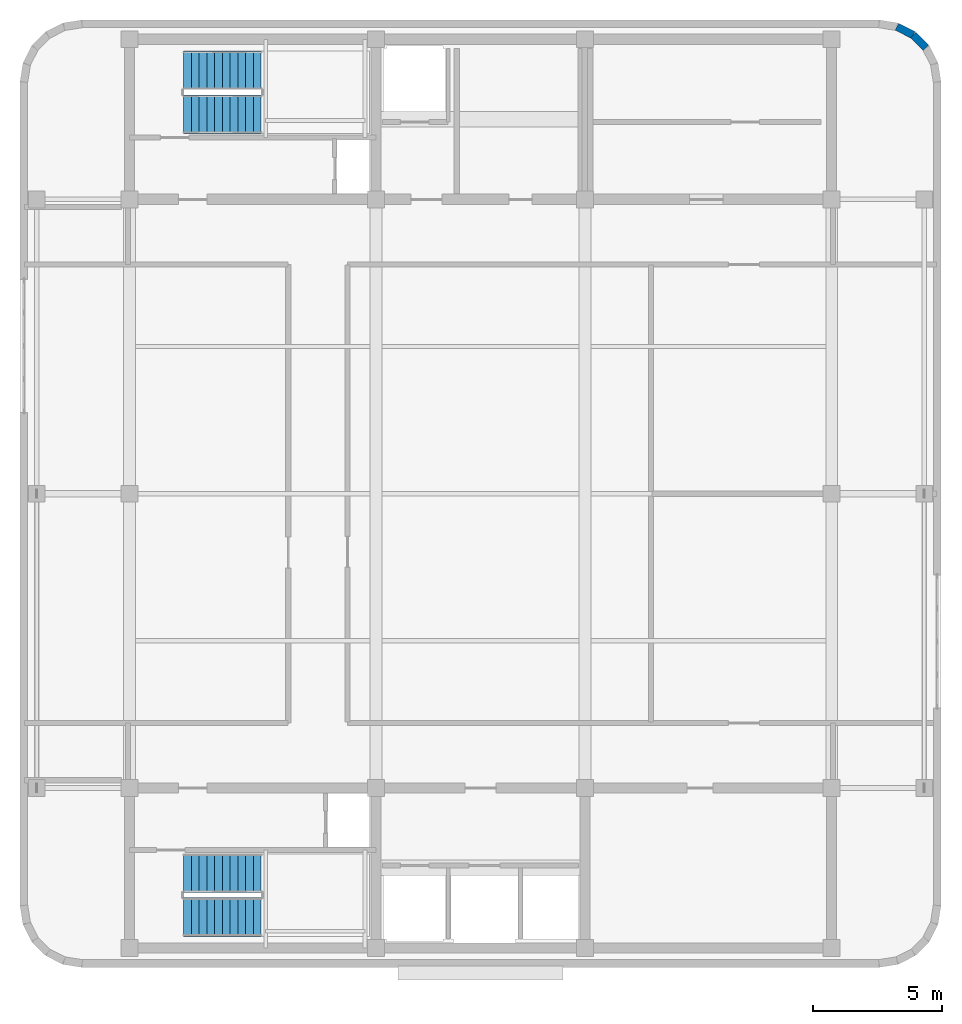
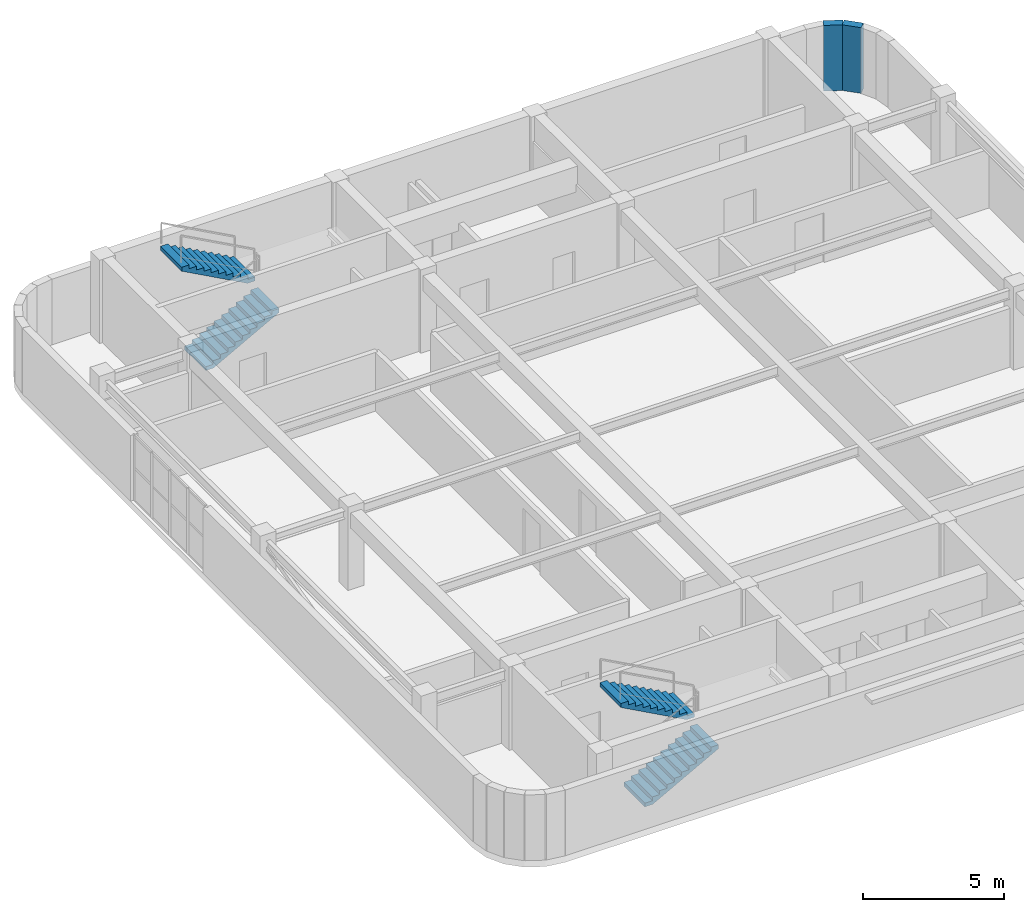
# One storey, part 6 of 9: 4 stair flights, 2 walls, 2 elements without a shape of their own.
"""IFC4 building model written with IfcOpenShell, lengths in metres."""

import ifcopenshell
import ifcopenshell.guid

model = None  # the IFC model being written
_history = None  # IfcOwnerHistory: only IFC2X3 demands one
_inside = {}  # id of a spatial element -> (the spatial element, [elements in it])
_under = {}  # id of a project, library or spatial element -> (it, [spatial elements below it])
_declared = {}  # id of a project -> (the project, [libraries it declares])
_typed = {}  # id of a type object -> (the type object, [elements of that type])
_made_of = {}  # id of a material, layer set ... -> (it, [elements and type objects made of it])


def new_model(schema):
    """Start an empty IFC model of exactly this schema.

    Asked for "IFC4X3", IfcOpenShell would pick the latest addendum, in which some entities
    have other attributes; the version numbers below select the first issue.
    IFC2X3 requires an IfcOwnerHistory on every rooted entity: one is made here for all.
    """
    global model, _history
    if schema == "IFC4X3":
        model = ifcopenshell.file(schema_version=(4, 3, 0, 0))
    else:
        model = ifcopenshell.file(schema=schema)
    _inside.clear()
    _under.clear()
    _declared.clear()
    _typed.clear()
    _made_of.clear()
    _history = None
    if model.schema == "IFC2X3":
        org = make("IfcOrganization", Name="unknown")
        user = make(
            "IfcPersonAndOrganization",
            ThePerson=make("IfcPerson", FamilyName="unknown"),
            TheOrganization=org,
        )
        app = make(
            "IfcApplication",
            ApplicationDeveloper=org,
            Version="unknown",
            ApplicationFullName="unknown",
            ApplicationIdentifier="unknown",
        )
        _history = make(
            "IfcOwnerHistory",
            OwningUser=user,
            OwningApplication=app,
            ChangeAction="ADDED",
            CreationDate=0,
        )
    return model


def make(cls, **values):
    """One entity of the class cls with the attributes given. An attribute that is None is left unset."""
    return model.create_entity(
        cls, **{name: value for name, value in values.items() if value is not None}
    )


def rooted(cls, **values):
    """An entity with a GlobalId (a new one), such as an element, a storey or a relation."""
    return make(cls, GlobalId=ifcopenshell.guid.new(), OwnerHistory=_history, **values)


def si_unit(unit_type, name, prefix=None):
    """IfcSIUnit, for example si_unit("LENGTHUNIT", "METRE", prefix="MILLI")."""
    return make("IfcSIUnit", UnitType=unit_type, Prefix=prefix, Name=name)


def assignment(units):
    """IfcUnitAssignment: the units of a project."""
    return None if units is None else make("IfcUnitAssignment", Units=units)


def point(xyz):
    """IfcCartesianPoint."""
    return None if xyz is None else make("IfcCartesianPoint", Coordinates=xyz)


def direction(xyz):
    """IfcDirection."""
    return None if xyz is None else make("IfcDirection", DirectionRatios=xyz)


def frame(location, z_axis=None, x_axis=None):
    """IfcAxis2Placement3D, a coordinate frame: its origin and axes. An axis left out is left unset."""
    return make(
        "IfcAxis2Placement3D",
        Location=point(location),
        Axis=direction(z_axis),
        RefDirection=direction(x_axis),
    )


def frame_2d(location, x_axis=None):
    """IfcAxis2Placement2D, a coordinate frame in the plane: its origin and x axis."""
    return make(
        "IfcAxis2Placement2D", Location=point(location), RefDirection=direction(x_axis)
    )


def origin():
    """The frame at (0, 0, 0) with its axes left unset."""
    return frame((0.0, 0.0, 0.0))


def place(relative_to, where):
    """IfcLocalPlacement: puts the frame where relative to a parent placement (None: the world)."""
    return make(
        "IfcLocalPlacement", PlacementRelTo=relative_to, RelativePlacement=where
    )


def context(
    kind, dimensions, precision=None, world=None, true_north=None, identifier=None
):
    """IfcGeometricRepresentationContext, for example the 3D "Model" context."""
    return make(
        "IfcGeometricRepresentationContext",
        ContextIdentifier=identifier,
        ContextType=kind,
        CoordinateSpaceDimension=dimensions,
        Precision=precision,
        WorldCoordinateSystem=world,
        TrueNorth=true_north,
    )


def subcontext(parent, identifier, kind, view, scale=None):
    """IfcGeometricRepresentationSubContext, for example "Body" below "Model"."""
    return make(
        "IfcGeometricRepresentationSubContext",
        ContextIdentifier=identifier,
        ContextType=kind,
        ParentContext=parent,
        TargetScale=scale,
        TargetView=view,
    )


def project(units=None, contexts=None):
    """IfcProject with its units and contexts."""
    return rooted(
        "IfcProject",
        Name="project",
        RepresentationContexts=contexts,
        UnitsInContext=assignment(units),
    )


def spatial(cls, under=None, at=None, **own):
    """A site, building, storey or space (cls), placed at a placement, below another one or the project."""
    s = rooted(cls, ObjectPlacement=at, **own)
    if under is not None:
        _under.setdefault(under.id(), (under, []))[1].append(s)
    return s


def polyline(points):
    """IfcPolyline through the points."""
    return make("IfcPolyline", Points=[point(p) for p in points])


def profile(cls, at=None, kind="AREA", **sizes):
    """A parametric profile (cls). Its sizes go by their IFC names, for example OverallWidth=200.0."""
    return make(cls, ProfileType=kind, Position=at, **sizes)


def rectangle(**sizes):
    """IfcRectangleProfileDef."""
    return profile("IfcRectangleProfileDef", **sizes)


def outline(outer, holes=None, kind="AREA"):
    """IfcArbitraryClosedProfileDef: a profile drawn as a closed curve; with holes, ...WithVoids."""
    if holes is None:
        return make("IfcArbitraryClosedProfileDef", ProfileType=kind, OuterCurve=outer)
    return make(
        "IfcArbitraryProfileDefWithVoids",
        ProfileType=kind,
        OuterCurve=outer,
        InnerCurves=holes,
    )


def extrude(swept, where, along, depth):
    """IfcExtrudedAreaSolid: the profile swept, set in the frame where, extruded along a direction by depth."""
    return make(
        "IfcExtrudedAreaSolid",
        SweptArea=swept,
        Position=where,
        ExtrudedDirection=direction(along),
        Depth=depth,
    )


def shape(context_of_items, identifier, shape_type, items):
    """IfcShapeRepresentation: the items that make up one representation, for example the "Body"."""
    return make(
        "IfcShapeRepresentation",
        ContextOfItems=context_of_items,
        RepresentationIdentifier=identifier,
        RepresentationType=shape_type,
        Items=items,
    )


def material(Name=None, Category=None):
    """IfcMaterial."""
    return make("IfcMaterial", Name=Name, Category=Category)


def layer(
    of_material, thickness, ventilated=None, Name=None, Category=None, Priority=None
):
    """IfcMaterialLayer: one layer of a wall or slab, of a material (None: an air gap)."""
    return make(
        "IfcMaterialLayer",
        Material=of_material,
        LayerThickness=thickness,
        IsVentilated=ventilated,
        Name=Name,
        Category=Category,
        Priority=Priority,
    )


def layer_set(layers, Name=None):
    """IfcMaterialLayerSet."""
    return make("IfcMaterialLayerSet", MaterialLayers=layers, LayerSetName=Name)


def made_of(thing, what):
    """Note that an element or type object is made of a material, layer set ...; save() writes the relation."""
    if what is not None:
        _made_of.setdefault(what.id(), (what, []))[1].append(thing)
    return thing


def type_object(cls, material=None, **own):
    """A type object (cls), such as IfcWallType, which elements share."""
    return made_of(rooted(cls, **own), material)


def element(
    cls,
    number,
    at=None,
    inside=None,
    cuts=None,
    type_object=None,
    material=None,
    context=None,
    identifier="Body",
    shape_type=None,
    held_by="IfcProductDefinitionShape",
    body=None,
    shapes=None,
    **own,
):
    """One element of the class cls, such as IfcWall. Its Tag is "e" and its number.

    at: its placement. inside: the storey or other place that contains it. cuts: it is an
    opening in that element (IfcRelVoidsElement). A single representation is given by context,
    identifier, shape_type and body (its items); several are given by shapes. held_by: the class
    of the entity that holds the representations. save() writes the other relations.
    """
    e = rooted(cls, Tag="e%d" % number, ObjectPlacement=at, **own)
    if body is not None:
        shapes = [shape(context, identifier, shape_type, body)]
    if shapes is not None:
        e.Representation = make(held_by, Representations=shapes)
    if inside is not None:
        _inside.setdefault(inside.id(), (inside, []))[1].append(e)
    if cuts is not None:
        rooted(
            "IfcRelVoidsElement", RelatingBuildingElement=cuts, RelatedOpeningElement=e
        )
    if type_object is not None:
        _typed.setdefault(type_object.id(), (type_object, []))[1].append(e)
    return made_of(e, material)


def aggregate(whole, parts):
    """IfcRelAggregates: a whole, such as a stair, and the parts it consists of."""
    return rooted("IfcRelAggregates", RelatingObject=whole, RelatedObjects=parts)


def save(model, path):
    """Write the relations noted so far, then the file.

    IfcRelAggregates (storeys below a building ...), IfcRelContainedInSpatialStructure (elements
    in a storey), IfcRelDefinesByType, IfcRelAssociatesMaterial and IfcRelDeclares: one each for
    every whole, place, type object, material and project.
    """
    for whole, parts in _under.values():
        aggregate(whole, parts)
    for where, things in _inside.values():
        rooted(
            "IfcRelContainedInSpatialStructure",
            RelatedElements=things,
            RelatingStructure=where,
        )
    for kind, things in _typed.values():
        rooted("IfcRelDefinesByType", RelatedObjects=things, RelatingType=kind)
    for what, things in _made_of.values():
        rooted("IfcRelAssociatesMaterial", RelatedObjects=things, RelatingMaterial=what)
    for by, libraries in _declared.values():
        rooted("IfcRelDeclares", RelatingContext=by, RelatedDefinitions=libraries)
    model.write(path)


model = new_model("IFC4")

# Units and contexts
model_context = context("Model", 3, precision=1e-05, world=origin(), true_north=direction((0.0, 1.0)))
body_context = subcontext(model_context, "Body", "Model", "MODEL_VIEW")
ifc_project = project(units=[si_unit("LENGTHUNIT", "METRE"), si_unit("AREAUNIT", "SQUARE_METRE"), si_unit("VOLUMEUNIT", "CUBIC_METRE"), si_unit("PLANEANGLEUNIT", "RADIAN"), si_unit("MASSUNIT", "GRAM", prefix="KILO")], contexts=[model_context])

# Site, building, storey
site_placement = place(None, origin())
site = spatial("IfcSite", under=ifc_project, at=site_placement, CompositionType="ELEMENT")
building_placement = place(site_placement, origin())
building = spatial("IfcBuilding", under=site, at=building_placement, Name="Svetorya Sky Lyceum", CompositionType="ELEMENT")
storey_placement = place(building_placement, frame((0.0, 0.0, 316.39990234375)))
storey = spatial("IfcBuildingStorey", under=building, at=storey_placement, Name="C05", CompositionType="ELEMENT", Elevation=316.39990234375)

# Walls
ifc_material_1 = material(Name="Putilovo limestone rainscreen on autoclaved cellular masonry", Category="masonry")
ifc_layer = layer(ifc_material_1, 0.300048828125)
ifc_layer_set = layer_set([ifc_layer], Name="Putilovo limestone rainscreen on autoclaved cellular masonry")
wall_type = type_object("IfcWallType", Name="WL-EXT-300", PredefinedType="SOLIDWALL", material=ifc_layer_set)
wall_1_placement = place(storey_placement, frame((56.460205078125, 45.472412109375, 0.0), z_axis=(0.0, 0.0, 1.0), x_axis=(-0.707106781187, 0.707106781187, 0.0)))
element("IfcWall", 1, at=wall_1_placement, inside=storey, type_object=wall_type, Name="C05 Limestone Exterior Wall 15M", PredefinedType="SOLIDWALL", context=body_context, shape_type="SweptSolid", body=[
    extrude(rectangle(XDim=0.7041015625, YDim=0.300048828125, at=frame_2d((0.35205078125, 0.0))), origin(), (0.0, 0.0, 1.0), 2.840087890625),
])
wall_2_placement = place(storey_placement, frame((55.96240234375, 45.97021484375, 0.0), z_axis=(0.0, 0.0, 1.0), x_axis=(-0.891002438725, 0.453998517824, 0.0)))
element("IfcWall", 2, at=wall_2_placement, inside=storey, type_object=wall_type, Name="C05 Limestone Exterior Wall 16M", PredefinedType="SOLIDWALL", context=body_context, shape_type="SweptSolid", body=[
    extrude(rectangle(XDim=0.703857421875, YDim=0.300048828125, at=frame_2d((0.35205078125, 0.0))), origin(), (0.0, 0.0, 1.0), 2.840087890625),
])

# Stair, stair flights
ifc_material_2 = material(Name="Concrete C40/50", Category="concrete")
stair_type_1 = type_object("IfcStairType", Name="STR-ST-N", PredefinedType="HALF_TURN_STAIR", material=ifc_material_2)
stair_1_placement = place(storey_placement, origin())
stair_1 = element("IfcStair", 3, at=stair_1_placement, inside=storey, type_object=stair_type_1, Name="C05 North Core Smoke-Free Exit Stair N3", PredefinedType="HALF_TURN_STAIR")
stair_flight_type_1 = type_object("IfcStairFlightType", Name="SFL-ST-N", PredefinedType="STRAIGHT", material=ifc_material_2)
stair_flight_1_placement = place(storey_placement, frame((27.699951171875, 42.89990234375, 0.0), z_axis=(0.0, 0.0, 1.0), x_axis=(1.0, 0.0, 0.0)))
stair_flight_1 = element("IfcStairFlight", 4, at=stair_flight_1_placement, type_object=stair_flight_type_1, Name="ST-N flight 1", NumberOfRisers=11, NumberOfTreads=10, PredefinedType="STRAIGHT", RiserHeight=0.163636364, TreadLength=0.3, context=body_context, shape_type="SweptSolid", body=[
    extrude(outline(polyline([(0.0, 0.0), (0.0, 0.16357421875), (0.300048828125, 0.16357421875), (0.300048828125, 0.327392578125), (0.60009765625, 0.327392578125), (0.60009765625, 0.490966796875), (0.89990234375, 0.490966796875), (0.89990234375, 0.654541015625), (1.199951171875, 0.654541015625), (1.199951171875, 0.818115234375), (1.5, 0.818115234375), (1.5, 0.98193359375), (1.800048828125, 0.98193359375), (1.800048828125, 1.1455078125), (2.10009765625, 1.1455078125), (2.10009765625, 1.30908203125), (2.39990234375, 1.30908203125), (2.39990234375, 1.47265625), (2.699951171875, 1.47265625), (2.699951171875, 1.636474609375), (3.0, 1.636474609375), (3.0, 1.800048828125), (3.0, 1.465576171875), (0.31298828125, 0.0), (0.0, 0.0)])), frame((0.0, 0.75, 0.0), z_axis=(0.0, -1.0, 0.0), x_axis=(1.0, 0.0, 0.0)), (0.0, 0.0, 1.0), 1.5),
])
stair_flight_2_placement = place(storey_placement, frame((30.699951171875, 44.60009765625, 1.800048828125), z_axis=(0.0, 0.0, 1.0), x_axis=(-1.0, 0.0, 0.0)))
stair_flight_2 = element("IfcStairFlight", 5, at=stair_flight_2_placement, type_object=stair_flight_type_1, Name="ST-N flight 2", NumberOfRisers=11, NumberOfTreads=10, PredefinedType="STRAIGHT", RiserHeight=0.163636364, TreadLength=0.3, context=body_context, shape_type="SweptSolid", body=[
    extrude(outline(polyline([(0.0, 0.0), (0.0, 0.16357421875), (0.300048828125, 0.16357421875), (0.300048828125, 0.327392578125), (0.60009765625, 0.327392578125), (0.60009765625, 0.490966796875), (0.89990234375, 0.490966796875), (0.89990234375, 0.654541015625), (1.199951171875, 0.654541015625), (1.199951171875, 0.818115234375), (1.5, 0.818115234375), (1.5, 0.98193359375), (1.800048828125, 0.98193359375), (1.800048828125, 1.1455078125), (2.10009765625, 1.1455078125), (2.10009765625, 1.30908203125), (2.39990234375, 1.30908203125), (2.39990234375, 1.47265625), (2.699951171875, 1.47265625), (2.699951171875, 1.636474609375), (3.0, 1.636474609375), (3.0, 1.800048828125), (3.0, 1.465576171875), (0.31298828125, 0.0), (0.0, 0.0)])), frame((0.0, 0.75, 0.0), z_axis=(0.0, -1.0, 0.0), x_axis=(1.0, 0.0, 0.0)), (0.0, 0.0, 1.0), 1.5),
])
aggregate(stair_1, [stair_flight_1, stair_flight_2])

stair_type_2 = type_object("IfcStairType", Name="STR-ST-S", PredefinedType="HALF_TURN_STAIR", material=ifc_material_2)
stair_2_placement = place(storey_placement, origin())
stair_2 = element("IfcStair", 6, at=stair_2_placement, inside=storey, type_object=stair_type_2, Name="C05 South Core Smoke-Free Exit Stair N2", PredefinedType="HALF_TURN_STAIR")
stair_flight_type_2 = type_object("IfcStairFlightType", Name="SFL-ST-S", PredefinedType="STRAIGHT", material=ifc_material_2)
stair_flight_3_placement = place(storey_placement, frame((27.699951171875, 11.800048828125, 0.0), z_axis=(0.0, 0.0, 1.0), x_axis=(1.0, 0.0, 0.0)))
stair_flight_3 = element("IfcStairFlight", 7, at=stair_flight_3_placement, type_object=stair_flight_type_2, Name="ST-S flight 1", NumberOfRisers=11, NumberOfTreads=10, PredefinedType="STRAIGHT", RiserHeight=0.163636364, TreadLength=0.3, context=body_context, shape_type="SweptSolid", body=[
    extrude(outline(polyline([(0.0, 0.0), (0.0, 0.16357421875), (0.300048828125, 0.16357421875), (0.300048828125, 0.327392578125), (0.60009765625, 0.327392578125), (0.60009765625, 0.490966796875), (0.89990234375, 0.490966796875), (0.89990234375, 0.654541015625), (1.199951171875, 0.654541015625), (1.199951171875, 0.818115234375), (1.5, 0.818115234375), (1.5, 0.98193359375), (1.800048828125, 0.98193359375), (1.800048828125, 1.1455078125), (2.10009765625, 1.1455078125), (2.10009765625, 1.30908203125), (2.39990234375, 1.30908203125), (2.39990234375, 1.47265625), (2.699951171875, 1.47265625), (2.699951171875, 1.636474609375), (3.0, 1.636474609375), (3.0, 1.800048828125), (3.0, 1.465576171875), (0.31298828125, 0.0), (0.0, 0.0)])), frame((0.0, 0.75, 0.0), z_axis=(0.0, -1.0, 0.0), x_axis=(1.0, 0.0, 0.0)), (0.0, 0.0, 1.0), 1.5),
])
stair_flight_4_placement = place(storey_placement, frame((30.699951171875, 13.5, 1.800048828125), z_axis=(0.0, 0.0, 1.0), x_axis=(-1.0, 0.0, 0.0)))
stair_flight_4 = element("IfcStairFlight", 8, at=stair_flight_4_placement, type_object=stair_flight_type_2, Name="ST-S flight 2", NumberOfRisers=11, NumberOfTreads=10, PredefinedType="STRAIGHT", RiserHeight=0.163636364, TreadLength=0.3, context=body_context, shape_type="SweptSolid", body=[
    extrude(outline(polyline([(0.0, 0.0), (0.0, 0.16357421875), (0.300048828125, 0.16357421875), (0.300048828125, 0.327392578125), (0.60009765625, 0.327392578125), (0.60009765625, 0.490966796875), (0.89990234375, 0.490966796875), (0.89990234375, 0.654541015625), (1.199951171875, 0.654541015625), (1.199951171875, 0.818115234375), (1.5, 0.818115234375), (1.5, 0.98193359375), (1.800048828125, 0.98193359375), (1.800048828125, 1.1455078125), (2.10009765625, 1.1455078125), (2.10009765625, 1.30908203125), (2.39990234375, 1.30908203125), (2.39990234375, 1.47265625), (2.699951171875, 1.47265625), (2.699951171875, 1.636474609375), (3.0, 1.636474609375), (3.0, 1.800048828125), (3.0, 1.465576171875), (0.31298828125, 0.0), (0.0, 0.0)])), frame((0.0, 0.75, 0.0), z_axis=(0.0, -1.0, 0.0), x_axis=(1.0, 0.0, 0.0)), (0.0, 0.0, 1.0), 1.5),
])
aggregate(stair_2, [stair_flight_3, stair_flight_4])

save(model, "model.ifc")
